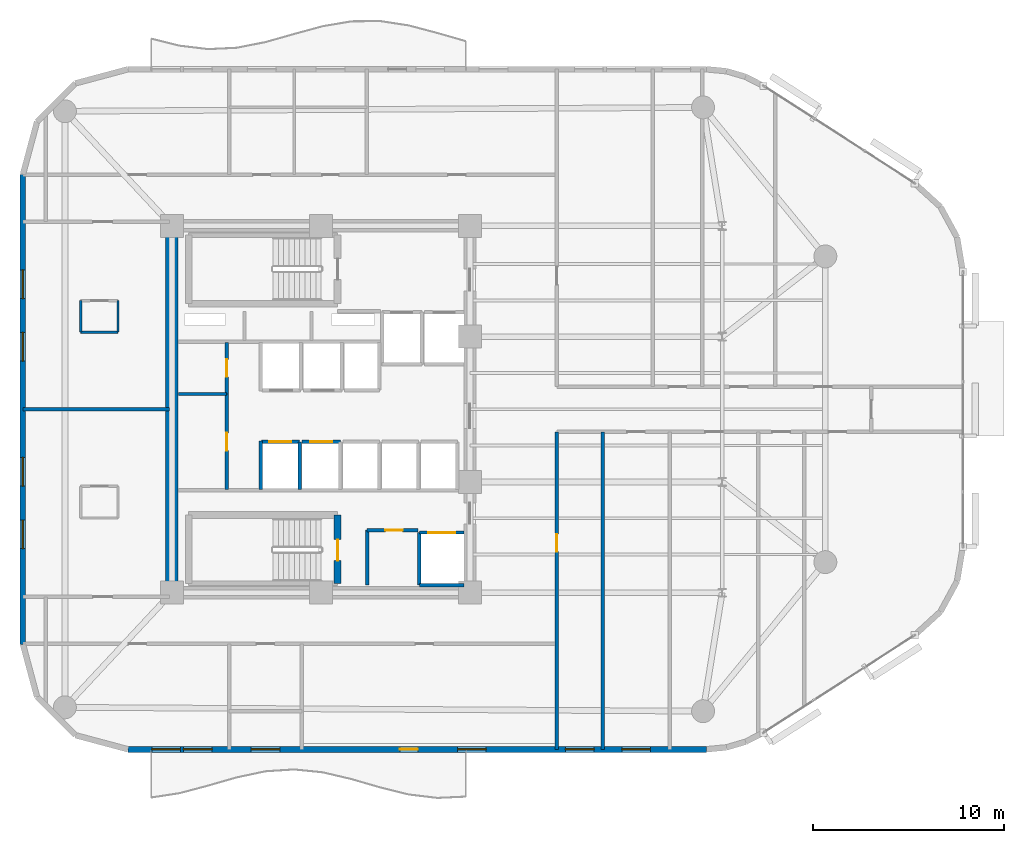
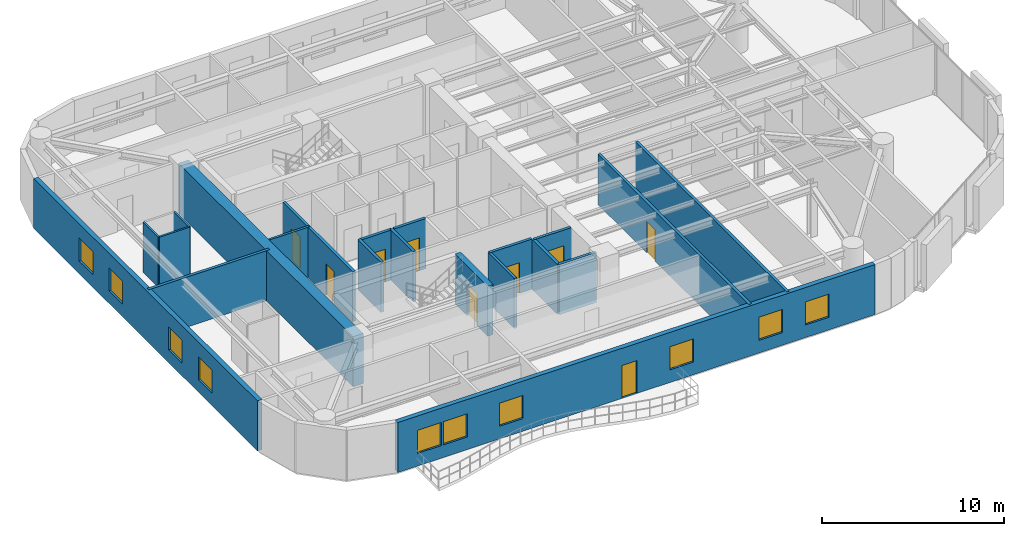
# One storey, part 10 of 15: 22 walls, 10 windows, 9 doors, 19 openings.
"""IFC4 building model written with IfcOpenShell, lengths in metres."""

from ifc_helpers import new_model, si_unit, direction, frame, frame_2d, origin, place, context, subcontext, project, spatial, rectangle, extrude, material, layer, layer_set, type_object, element, fill, save


model = new_model("IFC4")

# Units and contexts
model_context = context("Model", 3, precision=1e-05, world=origin(), true_north=direction((0.0, 1.0)))
body_context = subcontext(model_context, "Body", "Model", "MODEL_VIEW")
ifc_project = project(units=[si_unit("LENGTHUNIT", "METRE"), si_unit("AREAUNIT", "SQUARE_METRE"), si_unit("VOLUMEUNIT", "CUBIC_METRE"), si_unit("PLANEANGLEUNIT", "RADIAN"), si_unit("MASSUNIT", "GRAM", prefix="KILO")], contexts=[model_context])

# Site, building, storey
site_placement = place(None, origin())
site = spatial("IfcSite", under=ifc_project, at=site_placement, CompositionType="ELEMENT")
building_placement = place(site_placement, origin())
building = spatial("IfcBuilding", under=site, at=building_placement, Name="An Khanh Terracotta Commons", CompositionType="ELEMENT")
storey_placement = place(building_placement, frame((0.0, 0.0, 187.0)))
storey = spatial("IfcBuildingStorey", under=building, at=storey_placement, Name="L49", CompositionType="ELEMENT", Elevation=187.0)

# Wall
ifc_material_1 = material(Name="Concrete C60/75", Category="concrete")
ifc_layer_1 = layer(ifc_material_1, 0.64990234375, Name="Concrete C60/75")
ifc_layer_set_1 = layer_set([ifc_layer_1], Name="Concrete C60/75")
wall_type_1 = type_object("IfcWallType", Name="WALL-CORE-650", PredefinedType="SHEAR", material=ifc_layer_set_1)
wall_1_placement = place(storey_placement, frame((21.60009765625, 14.39990234375, 0.0), z_axis=(0.0, 0.0, 1.0), x_axis=(0.0, 1.0, 0.0)))
element("IfcWall", 1, at=wall_1_placement, inside=storey, type_object=wall_type_1, Name="L49 Core Wall CWALL-L49-W", PredefinedType="SHEAR", context=body_context, shape_type="SweptSolid", body=[
    extrude(rectangle(XDim=19.2001953125, YDim=0.64990234375, at=frame_2d((9.60009765625, 0.0))), origin(), (0.0, 0.0, 1.0), 3.360107421875),
])

# Wall, opening, door
ifc_material_2 = material(Name="Fire-Rated Gypsum Board on Steel Stud", Category="steel")
ifc_layer_2 = layer(ifc_material_2, 0.179931640625, Name="Fire-Rated Gypsum Board on Steel Stud")
ifc_layer_set_2 = layer_set([ifc_layer_2], Name="Fire-Rated Gypsum Board on Steel Stud")
wall_type_2 = type_object("IfcWallType", Name="WALL-CORR-180", PredefinedType="PARTITIONING", material=ifc_layer_set_2)
wall_2_placement = place(storey_placement, frame((31.820068359375, 17.679931640625, 0.0), z_axis=(0.0, 0.0, 1.0), x_axis=(1.0, 0.0, 0.0)))
wall_2 = element("IfcWall", 2, at=wall_2_placement, inside=storey, type_object=wall_type_2, Name="L49 Core Wall SSVCW-L49-N", PredefinedType="PARTITIONING", context=body_context, shape_type="SweptSolid", body=[
    extrude(rectangle(XDim=2.659912109375, YDim=0.179931640625, at=frame_2d((1.330078125, 0.0))), origin(), (0.0, 0.0, 1.0), 3.360107421875),
])
opening_1_placement = place(wall_2_placement, frame((0.949951171875, 0.0, 0.0)))
opening_1 = element("IfcOpeningElement", 3, at=opening_1_placement, cuts=wall_2, Name="Opening D-SV", PredefinedType="OPENING", context=body_context, shape_type="SweptSolid", body=[
    extrude(rectangle(XDim=0.89990234375, YDim=2.050048828125, at=frame_2d((0.449951171875, 1.02490234375))), frame((0.0, 0.099853515625, 0.0), z_axis=(0.0, -1.0, 0.0), x_axis=(1.0, 0.0, 0.0)), (0.0, 0.0, 1.0), 0.199951171875),
])
ifc_material_3 = material(Name="Fire-Rated Powder-Coated Steel Door", Category="steel")
door_type_1 = type_object("IfcDoorType", Name="DOOR-SERV-900", OperationType="NOTDEFINED", PredefinedType="DOOR", material=ifc_material_3)
door_1_placement = place(opening_1_placement, origin())
door_1 = element("IfcDoor", 4, at=door_1_placement, inside=storey, type_object=door_type_1, Name="L49 Core Housekeeping Store Door", OperationType="SINGLE_SWING_RIGHT", OverallHeight=2.050048828125, OverallWidth=0.89990234375, PredefinedType="DOOR", context=body_context, shape_type="SweptSolid", body=[
    extrude(rectangle(XDim=0.89990234375, YDim=2.050048828125, at=frame_2d((0.449951171875, 1.02490234375))), frame((0.0, 0.02490234375, 0.0), z_axis=(0.0, -1.0, 0.0), x_axis=(1.0, 0.0, 0.0)), (0.0, 0.0, 1.0), 0.050048828125),
])
fill(opening_1, door_1)

# Wall
wall_3_placement = place(storey_placement, frame((31.820068359375, 14.800048828125, 0.0), z_axis=(0.0, 0.0, 1.0), x_axis=(0.0, 1.0, 0.0)))
element("IfcWall", 5, at=wall_3_placement, inside=storey, type_object=wall_type_2, Name="L49 Core Wall SSVCW-L49-W", PredefinedType="PARTITIONING", context=body_context, shape_type="SweptSolid", body=[
    extrude(rectangle(XDim=2.8798828125, YDim=0.179931640625, at=frame_2d((1.43994140625, 0.0))), origin(), (0.0, 0.0, 1.0), 3.360107421875),
])

# Wall, opening, door
wall_4_placement = place(storey_placement, frame((34.550048828125, 17.550048828125, 0.0), z_axis=(0.0, 0.0, 1.0), x_axis=(1.0, 0.0, 0.0)))
wall_4 = element("IfcWall", 6, at=wall_4_placement, inside=storey, type_object=wall_type_2, Name="L49 Core Wall LSH-L49-SVL-01-N", PredefinedType="PARTITIONING", context=body_context, shape_type="SweptSolid", body=[
    extrude(rectangle(XDim=2.349853515625, YDim=0.179931640625, at=frame_2d((1.1748046875, 0.0))), origin(), (0.0, 0.0, 1.0), 3.360107421875),
])
opening_2_placement = place(wall_4_placement, frame((0.47509765625, 0.0, 0.0)))
opening_2 = element("IfcOpeningElement", 7, at=opening_2_placement, cuts=wall_4, Name="Opening LD-SVL-01-L49", PredefinedType="OPENING", context=body_context, shape_type="SweptSolid", body=[
    extrude(rectangle(XDim=1.39990234375, YDim=2.300048828125, at=frame_2d((0.699951171875, 1.14990234375))), frame((0.0, 0.099853515625, 0.0), z_axis=(0.0, -1.0, 0.0), x_axis=(1.0, 0.0, 0.0)), (0.0, 0.0, 1.0), 0.199951171875),
])
ifc_material_4 = material(Name="Heavy-Duty Stainless Steel Goods Landing Door", Category="steel")
door_type_2 = type_object("IfcDoorType", Name="DOOR-LD-SVL-1400", OperationType="NOTDEFINED", PredefinedType="DOOR", material=ifc_material_4)
door_2_placement = place(opening_2_placement, origin())
door_2 = element("IfcDoor", 8, at=door_2_placement, inside=storey, type_object=door_type_2, Name="L49 Lift SVL-01 Sliding Landing Door", OperationType="DOUBLE_DOOR_SLIDING", OverallHeight=2.300048828125, OverallWidth=1.39990234375, PredefinedType="DOOR", context=body_context, shape_type="SweptSolid", body=[
    extrude(rectangle(XDim=1.39990234375, YDim=2.300048828125, at=frame_2d((0.699951171875, 1.14990234375))), frame((0.0, 0.02490234375, 0.0), z_axis=(0.0, -1.0, 0.0), x_axis=(1.0, 0.0, 0.0)), (0.0, 0.0, 1.0), 0.050048828125),
])
fill(opening_2, door_2)

# Walls
wall_5_placement = place(storey_placement, frame((36.89990234375, 14.800048828125, 0.0), z_axis=(0.0, 0.0, 1.0), x_axis=(-1.0, 0.0, 0.0)))
element("IfcWall", 9, at=wall_5_placement, inside=storey, type_object=wall_type_2, Name="L49 Core Wall LSH-L49-SVL-01-S", PredefinedType="PARTITIONING", context=body_context, shape_type="SweptSolid", body=[
    extrude(rectangle(XDim=2.349853515625, YDim=0.179931640625, at=frame_2d((1.1748046875, 0.0))), origin(), (0.0, 0.0, 1.0), 3.360107421875),
])
wall_6_placement = place(storey_placement, frame((34.550048828125, 17.550048828125, 0.0), z_axis=(0.0, 0.0, 1.0), x_axis=(0.0, -1.0, 0.0)))
element("IfcWall", 10, at=wall_6_placement, inside=storey, type_object=wall_type_2, Name="L49 Core Wall LSH-L49-SVL-01-W", PredefinedType="PARTITIONING", context=body_context, shape_type="SweptSolid", body=[
    extrude(rectangle(XDim=2.75, YDim=0.179931640625, at=frame_2d((1.375, 0.0))), origin(), (0.0, 0.0, 1.0), 3.360107421875),
])

# Wall, opening, door
wall_7_placement = place(storey_placement, frame((26.280029296875, 22.300048828125, 0.0), z_axis=(0.0, 0.0, 1.0), x_axis=(1.0, 0.0, 0.0)))
wall_7 = element("IfcWall", 11, at=wall_7_placement, inside=storey, type_object=wall_type_2, Name="L49 Core Wall LSH-L49-PL-M3-N", PredefinedType="PARTITIONING", context=body_context, shape_type="SweptSolid", body=[
    extrude(rectangle(XDim=2.0, YDim=0.179931640625, at=frame_2d((1.0, 0.0))), origin(), (0.0, 0.0, 1.0), 3.360107421875),
])
opening_3_placement = place(wall_7_placement, frame((0.425048828125, 0.0, 0.0)))
opening_3 = element("IfcOpeningElement", 12, at=opening_3_placement, cuts=wall_7, Name="Opening LD-PL-M3-L49", PredefinedType="OPENING", context=body_context, shape_type="SweptSolid", body=[
    extrude(rectangle(XDim=1.14990234375, YDim=2.199951171875, at=frame_2d((0.574951171875, 1.10009765625))), frame((0.0, 0.099853515625, 0.0), z_axis=(0.0, -1.0, 0.0), x_axis=(1.0, 0.0, 0.0)), (0.0, 0.0, 1.0), 0.199951171875),
])
ifc_material_5 = material(Name="Brushed Stainless Steel Passenger Landing Door", Category="steel")
door_type_3 = type_object("IfcDoorType", Name="DOOR-LD-PAX-1150", OperationType="NOTDEFINED", PredefinedType="DOOR", material=ifc_material_5)
door_3_placement = place(opening_3_placement, origin())
door_3 = element("IfcDoor", 13, at=door_3_placement, inside=storey, type_object=door_type_3, Name="L49 Lift PL-M3 Sliding Landing Door", OperationType="DOUBLE_DOOR_SLIDING", OverallHeight=2.199951171875, OverallWidth=1.14990234375, PredefinedType="DOOR", context=body_context, shape_type="SweptSolid", body=[
    extrude(rectangle(XDim=1.14990234375, YDim=2.199951171875, at=frame_2d((0.574951171875, 1.10009765625))), frame((0.0, 0.02490234375, 0.0), z_axis=(0.0, -1.0, 0.0), x_axis=(1.0, 0.0, 0.0)), (0.0, 0.0, 1.0), 0.050048828125),
])
fill(opening_3, door_3)

# Wall
wall_8_placement = place(storey_placement, frame((28.280029296875, 19.800048828125, 0.0), z_axis=(0.0, 0.0, 1.0), x_axis=(0.0, 1.0, 0.0)))
element("IfcWall", 14, at=wall_8_placement, inside=storey, type_object=wall_type_2, Name="L49 Core Wall LSH-L49-PL-M3-E", PredefinedType="PARTITIONING", context=body_context, shape_type="SweptSolid", body=[
    extrude(rectangle(XDim=2.5, YDim=0.179931640625, at=frame_2d((1.25, 0.0))), origin(), (0.0, 0.0, 1.0), 3.360107421875),
])

# Wall, opening, door
wall_9_placement = place(storey_placement, frame((28.419921875, 22.300048828125, 0.0), z_axis=(0.0, 0.0, 1.0), x_axis=(1.0, 0.0, 0.0)))
wall_9 = element("IfcWall", 15, at=wall_9_placement, inside=storey, type_object=wall_type_2, Name="L49 Core Wall LSH-L49-PL-M4-N", PredefinedType="PARTITIONING", context=body_context, shape_type="SweptSolid", body=[
    extrude(rectangle(XDim=2.0, YDim=0.179931640625, at=frame_2d((1.0, 0.0))), origin(), (0.0, 0.0, 1.0), 3.360107421875),
])
opening_4_placement = place(wall_9_placement, frame((0.425048828125, 0.0, 0.0)))
opening_4 = element("IfcOpeningElement", 16, at=opening_4_placement, cuts=wall_9, Name="Opening LD-PL-M4-L49", PredefinedType="OPENING", context=body_context, shape_type="SweptSolid", body=[
    extrude(rectangle(XDim=1.14990234375, YDim=2.199951171875, at=frame_2d((0.574951171875, 1.10009765625))), frame((0.0, 0.099853515625, 0.0), z_axis=(0.0, -1.0, 0.0), x_axis=(1.0, 0.0, 0.0)), (0.0, 0.0, 1.0), 0.199951171875),
])
door_4_placement = place(opening_4_placement, origin())
door_4 = element("IfcDoor", 17, at=door_4_placement, inside=storey, type_object=door_type_3, Name="L49 Lift PL-M4 Sliding Landing Door", OperationType="DOUBLE_DOOR_SLIDING", OverallHeight=2.199951171875, OverallWidth=1.14990234375, PredefinedType="DOOR", context=body_context, shape_type="SweptSolid", body=[
    extrude(rectangle(XDim=1.14990234375, YDim=2.199951171875, at=frame_2d((0.574951171875, 1.10009765625))), frame((0.0, 0.02490234375, 0.0), z_axis=(0.0, -1.0, 0.0), x_axis=(1.0, 0.0, 0.0)), (0.0, 0.0, 1.0), 0.050048828125),
])
fill(opening_4, door_4)

wall_10_placement = place(storey_placement, frame((24.4599609375, 24.800048828125, 0.0), z_axis=(0.0, 0.0, 1.0), x_axis=(0.0, 1.0, 0.0)))
wall_10 = element("IfcWall", 18, at=wall_10_placement, inside=storey, type_object=wall_type_2, Name="L49 Core Wall RECW-L49-E1", PredefinedType="PARTITIONING", context=body_context, shape_type="SweptSolid", body=[
    extrude(rectangle(XDim=2.699951171875, YDim=0.179931640625, at=frame_2d((1.35009765625, 0.0))), origin(), (0.0, 0.0, 1.0), 3.360107421875),
])
opening_5_placement = place(wall_10_placement, frame((0.889892578125, 0.0, 0.0)))
opening_5 = element("IfcOpeningElement", 19, at=opening_5_placement, cuts=wall_10, Name="Opening D-RM", PredefinedType="OPENING", context=body_context, shape_type="SweptSolid", body=[
    extrude(rectangle(XDim=0.919921875, YDim=2.10009765625, at=frame_2d((0.4599609375, 1.050048828125))), frame((0.0, 0.099853515625, 0.0), z_axis=(0.0, -1.0, 0.0), x_axis=(1.0, 0.0, 0.0)), (0.0, 0.0, 1.0), 0.199951171875),
])
ifc_material_6 = material(Name="Engineered Hardwood Timber Leaf", Category="wood")
door_type_4 = type_object("IfcDoorType", Name="DOOR-INT-920", OperationType="NOTDEFINED", PredefinedType="DOOR", material=ifc_material_6)
door_5_placement = place(opening_5_placement, origin())
door_5 = element("IfcDoor", 20, at=door_5_placement, inside=storey, type_object=door_type_4, Name="L49 Floor Pantry and Ice Room Door", OperationType="SINGLE_SWING_LEFT", OverallHeight=2.10009765625, OverallWidth=0.919921875, PredefinedType="DOOR", context=body_context, shape_type="SweptSolid", body=[
    extrude(rectangle(XDim=0.919921875, YDim=2.10009765625, at=frame_2d((0.4599609375, 1.050048828125))), frame((0.0, 0.02490234375, 0.0), z_axis=(0.0, -1.0, 0.0), x_axis=(1.0, 0.0, 0.0)), (0.0, 0.0, 1.0), 0.050048828125),
])
fill(opening_5, door_5)

wall_11_placement = place(storey_placement, frame((24.4599609375, 19.800048828125, 0.0), z_axis=(0.0, 0.0, 1.0), x_axis=(0.0, 1.0, 0.0)))
wall_11 = element("IfcWall", 21, at=wall_11_placement, inside=storey, type_object=wall_type_2, Name="L49 Core Wall RECW-L49-E2", PredefinedType="PARTITIONING", context=body_context, shape_type="SweptSolid", body=[
    extrude(rectangle(XDim=5.0, YDim=0.179931640625, at=frame_2d((2.5, 0.0))), origin(), (0.0, 0.0, 1.0), 3.360107421875),
])
opening_6_placement = place(wall_11_placement, frame((2.0400390625, 0.0, 0.0)))
opening_6 = element("IfcOpeningElement", 22, at=opening_6_placement, cuts=wall_11, Name="Opening D-RM", PredefinedType="OPENING", context=body_context, shape_type="SweptSolid", body=[
    extrude(rectangle(XDim=0.919921875, YDim=2.10009765625, at=frame_2d((0.4599609375, 1.050048828125))), frame((0.0, 0.099853515625, 0.0), z_axis=(0.0, -1.0, 0.0), x_axis=(1.0, 0.0, 0.0)), (0.0, 0.0, 1.0), 0.199951171875),
])
door_6_placement = place(opening_6_placement, origin())
door_6 = element("IfcDoor", 23, at=door_6_placement, inside=storey, type_object=door_type_4, Name="L49 Luggage Locker Room Door", OperationType="SINGLE_SWING_RIGHT", OverallHeight=2.10009765625, OverallWidth=0.919921875, PredefinedType="DOOR", context=body_context, shape_type="SweptSolid", body=[
    extrude(rectangle(XDim=0.919921875, YDim=2.10009765625, at=frame_2d((0.4599609375, 1.050048828125))), frame((0.0, 0.02490234375, 0.0), z_axis=(0.0, -1.0, 0.0), x_axis=(1.0, 0.0, 0.0)), (0.0, 0.0, 1.0), 0.050048828125),
])
fill(opening_6, door_6)

# Walls
wall_12_placement = place(storey_placement, frame((26.25, 19.800048828125, 0.0), z_axis=(0.0, 0.0, 1.0), x_axis=(0.0, 1.0, 0.0)))
element("IfcWall", 24, at=wall_12_placement, inside=storey, type_object=wall_type_2, Name="L49 Core Wall RECW-L49-BE2", PredefinedType="PARTITIONING", context=body_context, shape_type="SweptSolid", body=[
    extrude(rectangle(XDim=2.550048828125, YDim=0.179931640625, at=frame_2d((1.27490234375, 0.0))), origin(), (0.0, 0.0, 1.0), 3.360107421875),
])
wall_13_placement = place(storey_placement, frame((13.800048828125, 24.0, 0.0), z_axis=(0.0, 0.0, 1.0), x_axis=(1.0, 0.0, 0.0)))
element("IfcWall", 25, at=wall_13_placement, inside=storey, type_object=wall_type_2, Name="L49 Interior Partition IW-L49-E005", PredefinedType="PARTITIONING", context=body_context, shape_type="SweptSolid", body=[
    extrude(rectangle(XDim=7.679931640625, YDim=0.179931640625, at=frame_2d((3.83984375, 0.0))), origin(), (0.0, 0.0, 1.0), 3.360107421875),
])

# Wall, opening, door
wall_14_placement = place(storey_placement, frame((41.75, 6.199951171875, 0.0), z_axis=(0.0, 0.0, 1.0), x_axis=(0.0, 1.0, 0.0)))
wall_14 = element("IfcWall", 26, at=wall_14_placement, inside=storey, type_object=wall_type_2, Name="L49 Interior Partition IW-L49-E017", PredefinedType="PARTITIONING", context=body_context, shape_type="SweptSolid", body=[
    extrude(rectangle(XDim=16.6201171875, YDim=0.179931640625, at=frame_2d((8.31005859375, 0.0))), origin(), (0.0, 0.0, 1.0), 3.360107421875),
])
opening_7_placement = place(wall_14_placement, frame((10.35009765625, 0.0, 0.0)))
opening_7 = element("IfcOpeningElement", 27, at=opening_7_placement, cuts=wall_14, Name="Opening D-RM", PredefinedType="OPENING", context=body_context, shape_type="SweptSolid", body=[
    extrude(rectangle(XDim=0.919921875, YDim=2.10009765625, at=frame_2d((0.4599609375, 1.050048828125))), frame((0.0, 0.099853515625, 0.0), z_axis=(0.0, -1.0, 0.0), x_axis=(1.0, 0.0, 0.0)), (0.0, 0.0, 1.0), 0.199951171875),
])
door_7_placement = place(opening_7_placement, origin())
door_7 = element("IfcDoor", 28, at=door_7_placement, inside=storey, type_object=door_type_4, Name="L49 SB1 Research Study Office Door", OperationType="SINGLE_SWING_RIGHT", OverallHeight=2.10009765625, OverallWidth=0.919921875, PredefinedType="DOOR", context=body_context, shape_type="SweptSolid", body=[
    extrude(rectangle(XDim=0.919921875, YDim=2.10009765625, at=frame_2d((0.4599609375, 1.050048828125))), frame((0.0, 0.02490234375, 0.0), z_axis=(0.0, -1.0, 0.0), x_axis=(1.0, 0.0, 0.0)), (0.0, 0.0, 1.0), 0.050048828125),
])
fill(opening_7, door_7)

# Wall
wall_15_placement = place(storey_placement, frame((44.139892578125, 6.199951171875, 0.0), z_axis=(0.0, 0.0, 1.0), x_axis=(0.0, 1.0, 0.0)))
element("IfcWall", 29, at=wall_15_placement, inside=storey, type_object=wall_type_2, Name="L49 Interior Partition IW-L49-E019", PredefinedType="PARTITIONING", context=body_context, shape_type="SweptSolid", body=[
    extrude(rectangle(XDim=16.6201171875, YDim=0.179931640625, at=frame_2d((8.31005859375, 0.0))), origin(), (0.0, 0.0, 1.0), 3.360107421875),
])

# Wall, openings, door, windows
ifc_material_7 = material(Name="Precast concrete C40/50", Category="concrete")
ifc_layer_3 = layer(ifc_material_7, 0.300048828125, Name="Precast concrete C40/50")
ifc_layer_set_3 = layer_set([ifc_layer_3], Name="Precast concrete C40/50")
wall_type_3 = type_object("IfcWallType", Name="WALL-EXT-300", PredefinedType="SOLIDWALL", material=ifc_layer_set_3)
wall_16_placement = place(storey_placement, frame((19.300048828125, 6.199951171875, 0.0), z_axis=(0.0, 0.0, 1.0), x_axis=(1.0, 0.0, 0.0)))
wall_16 = element("IfcWall", 30, at=wall_16_placement, inside=storey, type_object=wall_type_3, Name="L49 Insulated Terracotta Exterior Wall 4", PredefinedType="SOLIDWALL", context=body_context, shape_type="SweptSolid", body=[
    extrude(rectangle(XDim=30.281982421875, YDim=0.300048828125, at=frame_2d((15.14111328125, 0.0))), origin(), (0.0, 0.0, 1.0), 3.360107421875),
])
opening_8_placement = place(wall_16_placement, frame((14.22509765625, 0.0, 0.0)))
opening_8 = element("IfcOpeningElement", 31, at=opening_8_placement, cuts=wall_16, Name="Opening D-BAL", PredefinedType="OPENING", context=body_context, shape_type="SweptSolid", body=[
    extrude(rectangle(XDim=0.949951171875, YDim=2.199951171875, at=frame_2d((0.47509765625, 1.10009765625))), frame((0.0, 0.159912109375, 0.0), z_axis=(0.0, -1.0, 0.0), x_axis=(1.0, 0.0, 0.0)), (0.0, 0.0, 1.0), 0.320068359375),
])
opening_9_placement = place(wall_16_placement, frame((1.25, 0.0, 0.85009765625)))
opening_9 = element("IfcOpeningElement", 32, at=opening_9_placement, cuts=wall_16, Name="Opening W-03", PredefinedType="OPENING", context=body_context, shape_type="SweptSolid", body=[
    extrude(rectangle(XDim=1.5, YDim=1.550048828125, at=frame_2d((0.75, 0.77490234375))), frame((0.0, 0.159912109375, 0.0), z_axis=(0.0, -1.0, 0.0), x_axis=(1.0, 0.0, 0.0)), (0.0, 0.0, 1.0), 0.320068359375),
])
opening_10_placement = place(wall_16_placement, frame((2.89990234375, 0.0, 0.85009765625)))
opening_10 = element("IfcOpeningElement", 33, at=opening_10_placement, cuts=wall_16, Name="Opening W-03", PredefinedType="OPENING", context=body_context, shape_type="SweptSolid", body=[
    extrude(rectangle(XDim=1.5, YDim=1.550048828125, at=frame_2d((0.75, 0.77490234375))), frame((0.0, 0.159912109375, 0.0), z_axis=(0.0, -1.0, 0.0), x_axis=(1.0, 0.0, 0.0)), (0.0, 0.0, 1.0), 0.320068359375),
])
opening_11_placement = place(wall_16_placement, frame((6.449951171875, 0.0, 0.85009765625)))
opening_11 = element("IfcOpeningElement", 34, at=opening_11_placement, cuts=wall_16, Name="Opening W-03", PredefinedType="OPENING", context=body_context, shape_type="SweptSolid", body=[
    extrude(rectangle(XDim=1.5, YDim=1.550048828125, at=frame_2d((0.75, 0.77490234375))), frame((0.0, 0.159912109375, 0.0), z_axis=(0.0, -1.0, 0.0), x_axis=(1.0, 0.0, 0.0)), (0.0, 0.0, 1.0), 0.320068359375),
])
opening_12_placement = place(wall_16_placement, frame((17.25, 0.0, 0.85009765625)))
opening_12 = element("IfcOpeningElement", 35, at=opening_12_placement, cuts=wall_16, Name="Opening W-03", PredefinedType="OPENING", context=body_context, shape_type="SweptSolid", body=[
    extrude(rectangle(XDim=1.5, YDim=1.550048828125, at=frame_2d((0.75, 0.77490234375))), frame((0.0, 0.159912109375, 0.0), z_axis=(0.0, -1.0, 0.0), x_axis=(1.0, 0.0, 0.0)), (0.0, 0.0, 1.0), 0.320068359375),
])
opening_13_placement = place(wall_16_placement, frame((22.89501953125, 0.0, 0.85009765625)))
opening_13 = element("IfcOpeningElement", 36, at=opening_13_placement, cuts=wall_16, Name="Opening W-03", PredefinedType="OPENING", context=body_context, shape_type="SweptSolid", body=[
    extrude(rectangle(XDim=1.5, YDim=1.550048828125, at=frame_2d((0.75, 0.77490234375))), frame((0.0, 0.159912109375, 0.0), z_axis=(0.0, -1.0, 0.0), x_axis=(1.0, 0.0, 0.0)), (0.0, 0.0, 1.0), 0.320068359375),
])
opening_14_placement = place(wall_16_placement, frame((25.847900390625, 0.0, 0.85009765625)))
opening_14 = element("IfcOpeningElement", 37, at=opening_14_placement, cuts=wall_16, Name="Opening W-03", PredefinedType="OPENING", context=body_context, shape_type="SweptSolid", body=[
    extrude(rectangle(XDim=1.5, YDim=1.550048828125, at=frame_2d((0.75, 0.77490234375))), frame((0.0, 0.159912109375, 0.0), z_axis=(0.0, -1.0, 0.0), x_axis=(1.0, 0.0, 0.0)), (0.0, 0.0, 1.0), 0.320068359375),
])
ifc_material_8 = material(Name="Thermally Broken Aluminium and Low-E Glass", Category="aluminium")
door_type_5 = type_object("IfcDoorType", Name="DOOR-BALC-950", OperationType="NOTDEFINED", PredefinedType="DOOR", material=ifc_material_8)
door_8_placement = place(opening_8_placement, origin())
door_8 = element("IfcDoor", 38, at=door_8_placement, inside=storey, type_object=door_type_5, Name="L49 S Wave Balcony Glazed Door", OperationType="SINGLE_SWING_LEFT", OverallHeight=2.199951171875, OverallWidth=0.949951171875, PredefinedType="DOOR", context=body_context, shape_type="SweptSolid", body=[
    extrude(rectangle(XDim=0.949951171875, YDim=2.199951171875, at=frame_2d((0.47509765625, 1.10009765625))), frame((0.0, 0.02490234375, 0.0), z_axis=(0.0, -1.0, 0.0), x_axis=(1.0, 0.0, 0.0)), (0.0, 0.0, 1.0), 0.050048828125),
])
fill(opening_8, door_8)
window_type = type_object("IfcWindowType", Name="WIN-Z3-1500x1550", PartitioningType="DOUBLE_PANEL_VERTICAL", PredefinedType="WINDOW", material=ifc_material_8)
window_1_placement = place(opening_9_placement, origin())
window_1 = element("IfcWindow", 39, at=window_1_placement, inside=storey, type_object=window_type, Name="L49 Operable Casement Window 4.1", OverallHeight=1.550048828125, OverallWidth=1.5, PartitioningType="DOUBLE_PANEL_VERTICAL", PredefinedType="WINDOW", context=body_context, shape_type="SweptSolid", body=[
    extrude(rectangle(XDim=1.5, YDim=1.550048828125, at=frame_2d((0.75, 0.77490234375))), frame((0.0, 0.030029296875, 0.0), z_axis=(0.0, -1.0, 0.0), x_axis=(1.0, 0.0, 0.0)), (0.0, 0.0, 1.0), 0.06005859375),
])
fill(opening_9, window_1)
window_2_placement = place(opening_10_placement, origin())
window_2 = element("IfcWindow", 40, at=window_2_placement, inside=storey, type_object=window_type, Name="L49 Operable Casement Window 4.2", OverallHeight=1.550048828125, OverallWidth=1.5, PartitioningType="DOUBLE_PANEL_VERTICAL", PredefinedType="WINDOW", context=body_context, shape_type="SweptSolid", body=[
    extrude(rectangle(XDim=1.5, YDim=1.550048828125, at=frame_2d((0.75, 0.77490234375))), frame((0.0, 0.030029296875, 0.0), z_axis=(0.0, -1.0, 0.0), x_axis=(1.0, 0.0, 0.0)), (0.0, 0.0, 1.0), 0.06005859375),
])
fill(opening_10, window_2)
window_3_placement = place(opening_11_placement, origin())
window_3 = element("IfcWindow", 41, at=window_3_placement, inside=storey, type_object=window_type, Name="L49 Operable Casement Window 4.3", OverallHeight=1.550048828125, OverallWidth=1.5, PartitioningType="DOUBLE_PANEL_VERTICAL", PredefinedType="WINDOW", context=body_context, shape_type="SweptSolid", body=[
    extrude(rectangle(XDim=1.5, YDim=1.550048828125, at=frame_2d((0.75, 0.77490234375))), frame((0.0, 0.030029296875, 0.0), z_axis=(0.0, -1.0, 0.0), x_axis=(1.0, 0.0, 0.0)), (0.0, 0.0, 1.0), 0.06005859375),
])
fill(opening_11, window_3)
window_4_placement = place(opening_12_placement, origin())
window_4 = element("IfcWindow", 42, at=window_4_placement, inside=storey, type_object=window_type, Name="L49 Operable Casement Window 4.4", OverallHeight=1.550048828125, OverallWidth=1.5, PartitioningType="DOUBLE_PANEL_VERTICAL", PredefinedType="WINDOW", context=body_context, shape_type="SweptSolid", body=[
    extrude(rectangle(XDim=1.5, YDim=1.550048828125, at=frame_2d((0.75, 0.77490234375))), frame((0.0, 0.030029296875, 0.0), z_axis=(0.0, -1.0, 0.0), x_axis=(1.0, 0.0, 0.0)), (0.0, 0.0, 1.0), 0.06005859375),
])
fill(opening_12, window_4)
window_5_placement = place(opening_13_placement, origin())
window_5 = element("IfcWindow", 43, at=window_5_placement, inside=storey, type_object=window_type, Name="L49 Operable Casement Window 4.5", OverallHeight=1.550048828125, OverallWidth=1.5, PartitioningType="DOUBLE_PANEL_VERTICAL", PredefinedType="WINDOW", context=body_context, shape_type="SweptSolid", body=[
    extrude(rectangle(XDim=1.5, YDim=1.550048828125, at=frame_2d((0.75, 0.77490234375))), frame((0.0, 0.030029296875, 0.0), z_axis=(0.0, -1.0, 0.0), x_axis=(1.0, 0.0, 0.0)), (0.0, 0.0, 1.0), 0.06005859375),
])
fill(opening_13, window_5)
window_6_placement = place(opening_14_placement, origin())
window_6 = element("IfcWindow", 44, at=window_6_placement, inside=storey, type_object=window_type, Name="L49 Operable Casement Window 4.6", OverallHeight=1.550048828125, OverallWidth=1.5, PartitioningType="DOUBLE_PANEL_VERTICAL", PredefinedType="WINDOW", context=body_context, shape_type="SweptSolid", body=[
    extrude(rectangle(XDim=1.5, YDim=1.550048828125, at=frame_2d((0.75, 0.77490234375))), frame((0.0, 0.030029296875, 0.0), z_axis=(0.0, -1.0, 0.0), x_axis=(1.0, 0.0, 0.0)), (0.0, 0.0, 1.0), 0.06005859375),
])
fill(opening_14, window_6)

# Wall, openings, windows
wall_17_placement = place(storey_placement, frame((13.800048828125, 36.300048828125, 0.0), z_axis=(0.0, 0.0, 1.0), x_axis=(0.0, -1.0, 0.0)))
wall_17 = element("IfcWall", 45, at=wall_17_placement, inside=storey, type_object=wall_type_3, Name="L49 Insulated Terracotta Exterior Wall 24", PredefinedType="SOLIDWALL", context=body_context, shape_type="SweptSolid", body=[
    extrude(rectangle(XDim=24.60009765625, YDim=0.300048828125, at=frame_2d((12.300048828125, 0.0))), origin(), (0.0, 0.0, 1.0), 3.360107421875),
])
opening_15_placement = place(wall_17_placement, frame((5.0029296875, 0.0, 0.85009765625)))
opening_15 = element("IfcOpeningElement", 46, at=opening_15_placement, cuts=wall_17, Name="Opening W-03", PredefinedType="OPENING", context=body_context, shape_type="SweptSolid", body=[
    extrude(rectangle(XDim=1.5, YDim=1.550048828125, at=frame_2d((0.75, 0.77490234375))), frame((0.0, 0.159912109375, 0.0), z_axis=(0.0, -1.0, 0.0), x_axis=(1.0, 0.0, 0.0)), (0.0, 0.0, 1.0), 0.320068359375),
])
opening_16_placement = place(wall_17_placement, frame((8.277099609375, 0.0, 0.85009765625)))
opening_16 = element("IfcOpeningElement", 47, at=opening_16_placement, cuts=wall_17, Name="Opening W-03", PredefinedType="OPENING", context=body_context, shape_type="SweptSolid", body=[
    extrude(rectangle(XDim=1.5, YDim=1.550048828125, at=frame_2d((0.75, 0.77490234375))), frame((0.0, 0.159912109375, 0.0), z_axis=(0.0, -1.0, 0.0), x_axis=(1.0, 0.0, 0.0)), (0.0, 0.0, 1.0), 0.320068359375),
])
opening_17_placement = place(wall_17_placement, frame((14.822998046875, 0.0, 0.85009765625)))
opening_17 = element("IfcOpeningElement", 48, at=opening_17_placement, cuts=wall_17, Name="Opening W-03", PredefinedType="OPENING", context=body_context, shape_type="SweptSolid", body=[
    extrude(rectangle(XDim=1.5, YDim=1.550048828125, at=frame_2d((0.75, 0.77490234375))), frame((0.0, 0.159912109375, 0.0), z_axis=(0.0, -1.0, 0.0), x_axis=(1.0, 0.0, 0.0)), (0.0, 0.0, 1.0), 0.320068359375),
])
opening_18_placement = place(wall_17_placement, frame((18.096923828125, 0.0, 0.85009765625)))
opening_18 = element("IfcOpeningElement", 49, at=opening_18_placement, cuts=wall_17, Name="Opening W-03", PredefinedType="OPENING", context=body_context, shape_type="SweptSolid", body=[
    extrude(rectangle(XDim=1.5, YDim=1.550048828125, at=frame_2d((0.75, 0.77490234375))), frame((0.0, 0.159912109375, 0.0), z_axis=(0.0, -1.0, 0.0), x_axis=(1.0, 0.0, 0.0)), (0.0, 0.0, 1.0), 0.320068359375),
])
window_7_placement = place(opening_15_placement, origin())
window_7 = element("IfcWindow", 50, at=window_7_placement, inside=storey, type_object=window_type, Name="L49 Operable Casement Window 24.1", OverallHeight=1.550048828125, OverallWidth=1.5, PartitioningType="DOUBLE_PANEL_VERTICAL", PredefinedType="WINDOW", context=body_context, shape_type="SweptSolid", body=[
    extrude(rectangle(XDim=1.5, YDim=1.550048828125, at=frame_2d((0.75, 0.77490234375))), frame((0.0, 0.030029296875, 0.0), z_axis=(0.0, -1.0, 0.0), x_axis=(1.0, 0.0, 0.0)), (0.0, 0.0, 1.0), 0.06005859375),
])
fill(opening_15, window_7)
window_8_placement = place(opening_16_placement, origin())
window_8 = element("IfcWindow", 51, at=window_8_placement, inside=storey, type_object=window_type, Name="L49 Operable Casement Window 24.2", OverallHeight=1.550048828125, OverallWidth=1.5, PartitioningType="DOUBLE_PANEL_VERTICAL", PredefinedType="WINDOW", context=body_context, shape_type="SweptSolid", body=[
    extrude(rectangle(XDim=1.5, YDim=1.550048828125, at=frame_2d((0.75, 0.77490234375))), frame((0.0, 0.030029296875, 0.0), z_axis=(0.0, -1.0, 0.0), x_axis=(1.0, 0.0, 0.0)), (0.0, 0.0, 1.0), 0.06005859375),
])
fill(opening_16, window_8)
window_9_placement = place(opening_17_placement, origin())
window_9 = element("IfcWindow", 52, at=window_9_placement, inside=storey, type_object=window_type, Name="L49 Operable Casement Window 24.3", OverallHeight=1.550048828125, OverallWidth=1.5, PartitioningType="DOUBLE_PANEL_VERTICAL", PredefinedType="WINDOW", context=body_context, shape_type="SweptSolid", body=[
    extrude(rectangle(XDim=1.5, YDim=1.550048828125, at=frame_2d((0.75, 0.77490234375))), frame((0.0, 0.030029296875, 0.0), z_axis=(0.0, -1.0, 0.0), x_axis=(1.0, 0.0, 0.0)), (0.0, 0.0, 1.0), 0.06005859375),
])
fill(opening_17, window_9)
window_10_placement = place(opening_18_placement, origin())
window_10 = element("IfcWindow", 53, at=window_10_placement, inside=storey, type_object=window_type, Name="L49 Operable Casement Window 24.4", OverallHeight=1.550048828125, OverallWidth=1.5, PartitioningType="DOUBLE_PANEL_VERTICAL", PredefinedType="WINDOW", context=body_context, shape_type="SweptSolid", body=[
    extrude(rectangle(XDim=1.5, YDim=1.550048828125, at=frame_2d((0.75, 0.77490234375))), frame((0.0, 0.030029296875, 0.0), z_axis=(0.0, -1.0, 0.0), x_axis=(1.0, 0.0, 0.0)), (0.0, 0.0, 1.0), 0.06005859375),
])
fill(opening_18, window_10)

# Wall
ifc_material_9 = material(Name="Acoustic Gypsum Board Partition")
ifc_layer_4 = layer(ifc_material_9, 0.14990234375, Name="Acoustic Gypsum Board Partition")
ifc_layer_set_4 = layer_set([ifc_layer_4], Name="Acoustic Gypsum Board Partition")
wall_type_4 = type_object("IfcWallType", Name="WALL-PART-150", PredefinedType="PARTITIONING", material=ifc_layer_set_4)
wall_18_placement = place(storey_placement, frame((21.949951171875, 24.800048828125, 0.0), z_axis=(0.0, 0.0, 1.0), x_axis=(1.0, 0.0, 0.0)))
element("IfcWall", 54, at=wall_18_placement, inside=storey, type_object=wall_type_4, Name="L49 Core Wall RECW-L49-M", PredefinedType="PARTITIONING", context=body_context, shape_type="SweptSolid", body=[
    extrude(rectangle(XDim=2.510009765625, YDim=0.14990234375, at=frame_2d((1.2548828125, 0.0))), origin(), (0.0, 0.0, 1.0), 3.360107421875),
])

# Wall, opening, door
ifc_material_10 = material(Name="Concrete C50/60", Category="concrete")
ifc_layer_5 = layer(ifc_material_10, 0.35009765625, Name="Concrete C50/60")
ifc_layer_set_5 = layer_set([ifc_layer_5], Name="Concrete C50/60")
wall_type_5 = type_object("IfcWallType", Name="WALL-SHAFT-350", PredefinedType="SOLIDWALL", material=ifc_layer_set_5)
wall_19_placement = place(storey_placement, frame((30.27001953125, 14.889892578125, 0.0), z_axis=(0.0, 0.0, 1.0), x_axis=(0.0, 1.0, 0.0)))
wall_19 = element("IfcWall", 55, at=wall_19_placement, inside=storey, type_object=wall_type_5, Name="L49 Core Wall STW-L49-S-E", PredefinedType="SOLIDWALL", context=body_context, shape_type="SweptSolid", body=[
    extrude(rectangle(XDim=3.580078125, YDim=0.35009765625, at=frame_2d((1.7900390625, 0.0))), origin(), (0.0, 0.0, 1.0), 3.360107421875),
])
opening_19_placement = place(wall_19_placement, frame((1.18994140625, 0.0, 0.0)))
opening_19 = element("IfcOpeningElement", 56, at=opening_19_placement, cuts=wall_19, Name="Opening D-ST", PredefinedType="OPENING", context=body_context, shape_type="SweptSolid", body=[
    extrude(rectangle(XDim=1.10009765625, YDim=2.14990234375, at=frame_2d((0.550048828125, 1.074951171875))), frame((0.0, 0.18505859375, 0.0), z_axis=(0.0, -1.0, 0.0), x_axis=(1.0, 0.0, 0.0)), (0.0, 0.0, 1.0), 0.3701171875),
])
ifc_material_11 = material(Name="Fire-Rated Steel Leaf and Frame", Category="steel")
door_type_6 = type_object("IfcDoorType", Name="DOOR-STAIR-1100", OperationType="NOTDEFINED", PredefinedType="DOOR", material=ifc_material_11)
door_9_placement = place(opening_19_placement, origin())
door_9 = element("IfcDoor", 57, at=door_9_placement, inside=storey, type_object=door_type_6, Name="L49 Stair ST-02 Fire Door", OperationType="SINGLE_SWING_LEFT", OverallHeight=2.14990234375, OverallWidth=1.10009765625, PredefinedType="DOOR", context=body_context, shape_type="SweptSolid", body=[
    extrude(rectangle(XDim=1.10009765625, YDim=2.14990234375, at=frame_2d((0.550048828125, 1.074951171875))), frame((0.0, 0.02490234375, 0.0), z_axis=(0.0, -1.0, 0.0), x_axis=(1.0, 0.0, 0.0)), (0.0, 0.0, 1.0), 0.050048828125),
])
fill(opening_19, door_9)

# Walls
ifc_material_12 = material(Name="Moisture-Resistant Cement Board Partition")
ifc_layer_6 = layer(ifc_material_12, 0.1201171875, Name="Moisture-Resistant Cement Board Partition")
ifc_layer_set_6 = layer_set([ifc_layer_6], Name="Moisture-Resistant Cement Board Partition")
wall_type_6 = type_object("IfcWallType", Name="WALL-WET-120", PredefinedType="PARTITIONING", material=ifc_layer_set_6)
wall_20_placement = place(storey_placement, frame((18.77490234375, 28.034912109375, 0.0), z_axis=(0.0, 0.0, 1.0), x_axis=(-1.0, 0.0, 0.0)))
element("IfcWall", 58, at=wall_20_placement, inside=storey, type_object=wall_type_6, Name="L49 Interior Partition IW-L49-WW2-BS", PredefinedType="PARTITIONING", context=body_context, shape_type="SweptSolid", body=[
    extrude(rectangle(XDim=1.949951171875, YDim=0.1201171875, at=frame_2d((0.97509765625, 0.0))), origin(), (0.0, 0.0, 1.0), 3.360107421875),
])
for number, where, z_axis, x_axis, name in (
    (59, (16.824951171875, 29.68505859375, 0.0), (0.0, 0.0, 1.0), (0.0, -1.0, 0.0), "L49 Interior Partition IW-L49-WW2-BW"),
    (60, (18.77490234375, 28.034912109375, 0.0), (0.0, 0.0, 1.0), (0.0, 1.0, 0.0), "L49 Interior Partition IW-L49-WW2-BE"),
):
    element("IfcWall", number, at=place(storey_placement, frame(where, z_axis=z_axis, x_axis=x_axis)), inside=storey, type_object=wall_type_6, Name=name, PredefinedType="PARTITIONING", context=body_context, shape_type="SweptSolid", body=[
        extrude(rectangle(XDim=1.650146484375, YDim=0.1201171875, at=frame_2d((0.8251953125, 0.0))), origin(), (0.0, 0.0, 1.0), 3.360107421875),
    ])

save(model, "model.ifc")
